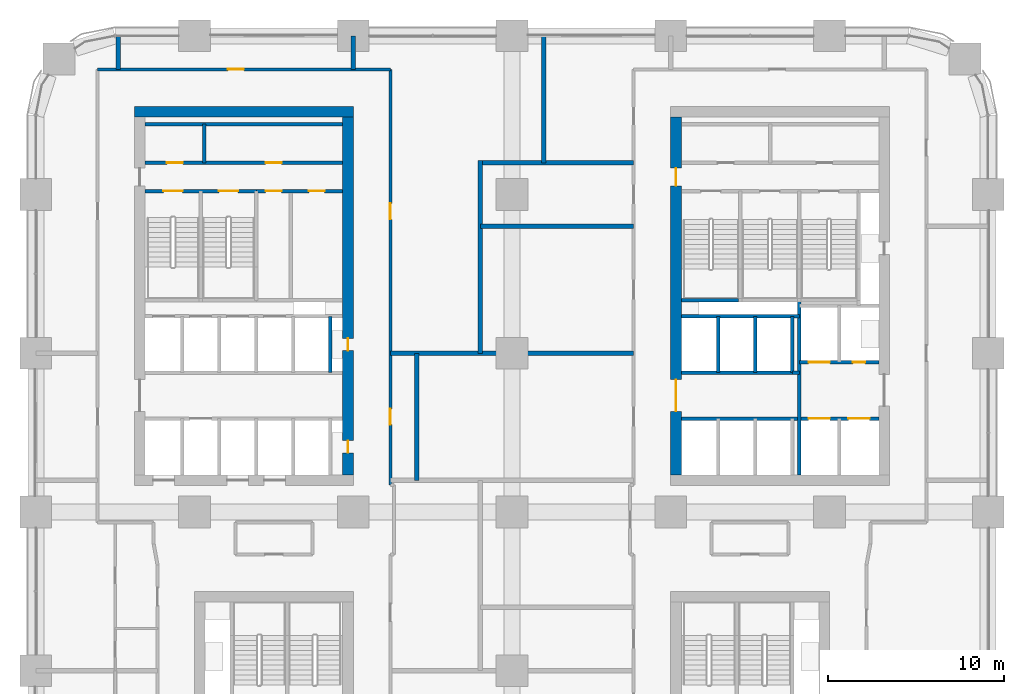
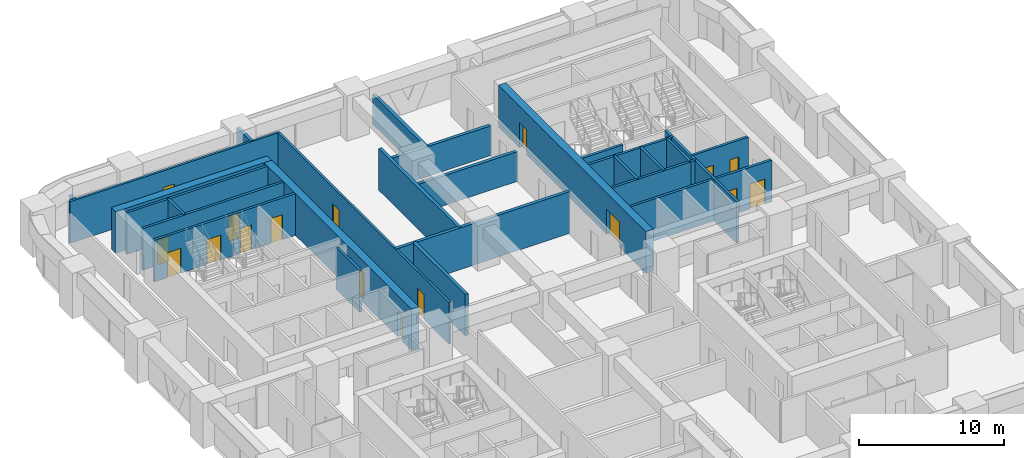
# One storey, part 17 of 21: 29 walls, 17 doors, 17 openings.
"""IFC4 building model written with IfcOpenShell, lengths in metres."""

import ifcopenshell
import ifcopenshell.guid

model = None  # the IFC model being written
_history = None  # IfcOwnerHistory: only IFC2X3 demands one
_inside = {}  # id of a spatial element -> (the spatial element, [elements in it])
_under = {}  # id of a project, library or spatial element -> (it, [spatial elements below it])
_declared = {}  # id of a project -> (the project, [libraries it declares])
_typed = {}  # id of a type object -> (the type object, [elements of that type])
_made_of = {}  # id of a material, layer set ... -> (it, [elements and type objects made of it])


def new_model(schema):
    """Start an empty IFC model of exactly this schema.

    Asked for "IFC4X3", IfcOpenShell would pick the latest addendum, in which some entities
    have other attributes; the version numbers below select the first issue.
    IFC2X3 requires an IfcOwnerHistory on every rooted entity: one is made here for all.
    """
    global model, _history
    if schema == "IFC4X3":
        model = ifcopenshell.file(schema_version=(4, 3, 0, 0))
    else:
        model = ifcopenshell.file(schema=schema)
    _inside.clear()
    _under.clear()
    _declared.clear()
    _typed.clear()
    _made_of.clear()
    _history = None
    if model.schema == "IFC2X3":
        org = make("IfcOrganization", Name="unknown")
        user = make(
            "IfcPersonAndOrganization",
            ThePerson=make("IfcPerson", FamilyName="unknown"),
            TheOrganization=org,
        )
        app = make(
            "IfcApplication",
            ApplicationDeveloper=org,
            Version="unknown",
            ApplicationFullName="unknown",
            ApplicationIdentifier="unknown",
        )
        _history = make(
            "IfcOwnerHistory",
            OwningUser=user,
            OwningApplication=app,
            ChangeAction="ADDED",
            CreationDate=0,
        )
    return model


def make(cls, **values):
    """One entity of the class cls with the attributes given. An attribute that is None is left unset."""
    return model.create_entity(
        cls, **{name: value for name, value in values.items() if value is not None}
    )


def rooted(cls, **values):
    """An entity with a GlobalId (a new one), such as an element, a storey or a relation."""
    return make(cls, GlobalId=ifcopenshell.guid.new(), OwnerHistory=_history, **values)


def si_unit(unit_type, name, prefix=None):
    """IfcSIUnit, for example si_unit("LENGTHUNIT", "METRE", prefix="MILLI")."""
    return make("IfcSIUnit", UnitType=unit_type, Prefix=prefix, Name=name)


def assignment(units):
    """IfcUnitAssignment: the units of a project."""
    return None if units is None else make("IfcUnitAssignment", Units=units)


def point(xyz):
    """IfcCartesianPoint."""
    return None if xyz is None else make("IfcCartesianPoint", Coordinates=xyz)


def direction(xyz):
    """IfcDirection."""
    return None if xyz is None else make("IfcDirection", DirectionRatios=xyz)


def frame(location, z_axis=None, x_axis=None):
    """IfcAxis2Placement3D, a coordinate frame: its origin and axes. An axis left out is left unset."""
    return make(
        "IfcAxis2Placement3D",
        Location=point(location),
        Axis=direction(z_axis),
        RefDirection=direction(x_axis),
    )


def frame_2d(location, x_axis=None):
    """IfcAxis2Placement2D, a coordinate frame in the plane: its origin and x axis."""
    return make(
        "IfcAxis2Placement2D", Location=point(location), RefDirection=direction(x_axis)
    )


def origin():
    """The frame at (0, 0, 0) with its axes left unset."""
    return frame((0.0, 0.0, 0.0))


def place(relative_to, where):
    """IfcLocalPlacement: puts the frame where relative to a parent placement (None: the world)."""
    return make(
        "IfcLocalPlacement", PlacementRelTo=relative_to, RelativePlacement=where
    )


def context(
    kind, dimensions, precision=None, world=None, true_north=None, identifier=None
):
    """IfcGeometricRepresentationContext, for example the 3D "Model" context."""
    return make(
        "IfcGeometricRepresentationContext",
        ContextIdentifier=identifier,
        ContextType=kind,
        CoordinateSpaceDimension=dimensions,
        Precision=precision,
        WorldCoordinateSystem=world,
        TrueNorth=true_north,
    )


def subcontext(parent, identifier, kind, view, scale=None):
    """IfcGeometricRepresentationSubContext, for example "Body" below "Model"."""
    return make(
        "IfcGeometricRepresentationSubContext",
        ContextIdentifier=identifier,
        ContextType=kind,
        ParentContext=parent,
        TargetScale=scale,
        TargetView=view,
    )


def project(units=None, contexts=None):
    """IfcProject with its units and contexts."""
    return rooted(
        "IfcProject",
        Name="project",
        RepresentationContexts=contexts,
        UnitsInContext=assignment(units),
    )


def spatial(cls, under=None, at=None, **own):
    """A site, building, storey or space (cls), placed at a placement, below another one or the project."""
    s = rooted(cls, ObjectPlacement=at, **own)
    if under is not None:
        _under.setdefault(under.id(), (under, []))[1].append(s)
    return s


def profile(cls, at=None, kind="AREA", **sizes):
    """A parametric profile (cls). Its sizes go by their IFC names, for example OverallWidth=200.0."""
    return make(cls, ProfileType=kind, Position=at, **sizes)


def rectangle(**sizes):
    """IfcRectangleProfileDef."""
    return profile("IfcRectangleProfileDef", **sizes)


def extrude(swept, where, along, depth):
    """IfcExtrudedAreaSolid: the profile swept, set in the frame where, extruded along a direction by depth."""
    return make(
        "IfcExtrudedAreaSolid",
        SweptArea=swept,
        Position=where,
        ExtrudedDirection=direction(along),
        Depth=depth,
    )


def shape(context_of_items, identifier, shape_type, items):
    """IfcShapeRepresentation: the items that make up one representation, for example the "Body"."""
    return make(
        "IfcShapeRepresentation",
        ContextOfItems=context_of_items,
        RepresentationIdentifier=identifier,
        RepresentationType=shape_type,
        Items=items,
    )


def material(Name=None, Category=None):
    """IfcMaterial."""
    return make("IfcMaterial", Name=Name, Category=Category)


def layer(
    of_material, thickness, ventilated=None, Name=None, Category=None, Priority=None
):
    """IfcMaterialLayer: one layer of a wall or slab, of a material (None: an air gap)."""
    return make(
        "IfcMaterialLayer",
        Material=of_material,
        LayerThickness=thickness,
        IsVentilated=ventilated,
        Name=Name,
        Category=Category,
        Priority=Priority,
    )


def layer_set(layers, Name=None):
    """IfcMaterialLayerSet."""
    return make("IfcMaterialLayerSet", MaterialLayers=layers, LayerSetName=Name)


def made_of(thing, what):
    """Note that an element or type object is made of a material, layer set ...; save() writes the relation."""
    if what is not None:
        _made_of.setdefault(what.id(), (what, []))[1].append(thing)
    return thing


def type_object(cls, material=None, **own):
    """A type object (cls), such as IfcWallType, which elements share."""
    return made_of(rooted(cls, **own), material)


def element(
    cls,
    number,
    at=None,
    inside=None,
    cuts=None,
    type_object=None,
    material=None,
    context=None,
    identifier="Body",
    shape_type=None,
    held_by="IfcProductDefinitionShape",
    body=None,
    shapes=None,
    **own,
):
    """One element of the class cls, such as IfcWall. Its Tag is "e" and its number.

    at: its placement. inside: the storey or other place that contains it. cuts: it is an
    opening in that element (IfcRelVoidsElement). A single representation is given by context,
    identifier, shape_type and body (its items); several are given by shapes. held_by: the class
    of the entity that holds the representations. save() writes the other relations.
    """
    e = rooted(cls, Tag="e%d" % number, ObjectPlacement=at, **own)
    if body is not None:
        shapes = [shape(context, identifier, shape_type, body)]
    if shapes is not None:
        e.Representation = make(held_by, Representations=shapes)
    if inside is not None:
        _inside.setdefault(inside.id(), (inside, []))[1].append(e)
    if cuts is not None:
        rooted(
            "IfcRelVoidsElement", RelatingBuildingElement=cuts, RelatedOpeningElement=e
        )
    if type_object is not None:
        _typed.setdefault(type_object.id(), (type_object, []))[1].append(e)
    return made_of(e, material)


def fill(opening, filler):
    """IfcRelFillsElement: the door or window that sits in an opening."""
    return rooted(
        "IfcRelFillsElement",
        RelatingOpeningElement=opening,
        RelatedBuildingElement=filler,
    )


def aggregate(whole, parts):
    """IfcRelAggregates: a whole, such as a stair, and the parts it consists of."""
    return rooted("IfcRelAggregates", RelatingObject=whole, RelatedObjects=parts)


def save(model, path):
    """Write the relations noted so far, then the file.

    IfcRelAggregates (storeys below a building ...), IfcRelContainedInSpatialStructure (elements
    in a storey), IfcRelDefinesByType, IfcRelAssociatesMaterial and IfcRelDeclares: one each for
    every whole, place, type object, material and project.
    """
    for whole, parts in _under.values():
        aggregate(whole, parts)
    for where, things in _inside.values():
        rooted(
            "IfcRelContainedInSpatialStructure",
            RelatedElements=things,
            RelatingStructure=where,
        )
    for kind, things in _typed.values():
        rooted("IfcRelDefinesByType", RelatedObjects=things, RelatingType=kind)
    for what, things in _made_of.values():
        rooted("IfcRelAssociatesMaterial", RelatedObjects=things, RelatingMaterial=what)
    for by, libraries in _declared.values():
        rooted("IfcRelDeclares", RelatingContext=by, RelatedDefinitions=libraries)
    model.write(path)


model = new_model("IFC4")

# Units and contexts
model_context = context("Model", 3, precision=1e-05, world=origin(), true_north=direction((0.0, 1.0)))
body_context = subcontext(model_context, "Body", "Model", "MODEL_VIEW")
ifc_project = project(units=[si_unit("LENGTHUNIT", "METRE"), si_unit("AREAUNIT", "SQUARE_METRE"), si_unit("VOLUMEUNIT", "CUBIC_METRE"), si_unit("PLANEANGLEUNIT", "RADIAN"), si_unit("MASSUNIT", "GRAM", prefix="KILO")], contexts=[model_context])

# Site, building, storey
site_placement = place(None, origin())
site = spatial("IfcSite", under=ifc_project, at=site_placement, CompositionType="ELEMENT")
building_placement = place(site_placement, origin())
building = spatial("IfcBuilding", under=site, at=building_placement, Name="Tessera Arch", CompositionType="ELEMENT")
storey_placement = place(building_placement, frame((0.0, 0.0, 69.0)))
storey = spatial("IfcBuildingStorey", under=building, at=storey_placement, Name="L15", CompositionType="ELEMENT", Elevation=69.0)

# Walls
ifc_material_1 = material(Name="Gypsum board on steel stud", Category="steel")
ifc_layer_1 = layer(ifc_material_1, 0.125)
ifc_layer_set_1 = layer_set([ifc_layer_1], Name="Core partition 125 EI 60")
wall_type_1 = type_object("IfcWallType", Name="Core partition 125 EI 60", PredefinedType="PARTITIONING", material=ifc_layer_set_1)
wall_1_placement = place(storey_placement, frame((42.89990234375, 34.89990234375, 0.0), z_axis=(0.0, 0.0, 1.0), x_axis=(1.0, 0.0, 0.0)))
element("IfcWall", 1, at=wall_1_placement, inside=storey, type_object=wall_type_1, Name="L15 C1 partition wall 19", PredefinedType="PARTITIONING", context=body_context, shape_type="SweptSolid", body=[
    extrude(rectangle(XDim=0.400146484375, YDim=0.199951171875, at=frame_2d((0.2001953125, 0.0))), origin(), (0.0, 0.0, 1.0), 3.5),
])
wall_2_placement = place(storey_placement, frame((9.56005859375, 46.800048828125, 0.0), z_axis=(0.0, 0.0, 1.0), x_axis=(0.0, 1.0, 0.0)))
element("IfcWall", 2, at=wall_2_placement, inside=storey, type_object=wall_type_1, Name="L15 C2 partition wall 5", PredefinedType="PARTITIONING", context=body_context, shape_type="SweptSolid", body=[
    extrude(rectangle(XDim=2.199951171875, YDim=0.199951171875, at=frame_2d((1.10009765625, 0.0))), origin(), (0.0, 0.0, 1.0), 3.5),
])

# Wall, openings, doors
wall_3_placement = place(storey_placement, frame((12.5, 45.199951171875, 0.0), z_axis=(0.0, 0.0, 1.0), x_axis=(1.0, 0.0, 0.0)))
wall_3 = element("IfcWall", 3, at=wall_3_placement, inside=storey, type_object=wall_type_1, Name="L15 C2 partition wall 24", PredefinedType="PARTITIONING", context=body_context, shape_type="SweptSolid", body=[
    extrude(rectangle(XDim=4.89990234375, YDim=0.199951171875, at=frame_2d((2.449951171875, 0.0))), origin(), (0.0, 0.0, 1.0), 3.5),
])
opening_1_placement = place(wall_3_placement, frame((0.530029296875, 0.0, 0.0)))
opening_1 = element("IfcOpeningElement", 4, at=opening_1_placement, cuts=wall_3, Name="Opening L15-C30", PredefinedType="OPENING", context=body_context, shape_type="SweptSolid", body=[
    extrude(rectangle(XDim=0.89990234375, YDim=2.10009765625, at=frame_2d((0.449951171875, 1.050048828125))), frame((0.0, 0.10986328125, 0.0), z_axis=(0.0, -1.0, 0.0), x_axis=(1.0, 0.0, 0.0)), (0.0, 0.0, 1.0), 0.219970703125),
])
opening_2_placement = place(wall_3_placement, frame((2.97998046875, 0.0, 0.0)))
opening_2 = element("IfcOpeningElement", 5, at=opening_2_placement, cuts=wall_3, Name="Opening L15-C31", PredefinedType="OPENING", context=body_context, shape_type="SweptSolid", body=[
    extrude(rectangle(XDim=0.89990234375, YDim=2.10009765625, at=frame_2d((0.449951171875, 1.050048828125))), frame((0.0, 0.10986328125, 0.0), z_axis=(0.0, -1.0, 0.0), x_axis=(1.0, 0.0, 0.0)), (0.0, 0.0, 1.0), 0.219970703125),
])
ifc_material_2 = material(Name="Steel door leaf", Category="steel")
door_type_1 = type_object("IfcDoorType", Name="Store door FD30S 900 x 2100", OperationType="SINGLE_SWING_LEFT", PredefinedType="DOOR", material=ifc_material_2)
door_1_placement = place(opening_1_placement, origin())
door_1 = element("IfcDoor", 6, at=door_1_placement, inside=storey, type_object=door_type_1, Name="L15 C2 door 17 C30 type D09", OperationType="SINGLE_SWING_LEFT", OverallHeight=2.10009765625, OverallWidth=0.89990234375, PredefinedType="DOOR", context=body_context, shape_type="SweptSolid", body=[
    extrude(rectangle(XDim=0.89990234375, YDim=2.10009765625, at=frame_2d((0.449951171875, 1.050048828125))), frame((0.0, 0.02490234375, 0.0), z_axis=(0.0, -1.0, 0.0), x_axis=(1.0, 0.0, 0.0)), (0.0, 0.0, 1.0), 0.050048828125),
])
fill(opening_1, door_1)
door_2_placement = place(opening_2_placement, origin())
door_2 = element("IfcDoor", 7, at=door_2_placement, inside=storey, type_object=door_type_1, Name="L15 C2 door 18 C31 type D09", OperationType="SINGLE_SWING_RIGHT", OverallHeight=2.10009765625, OverallWidth=0.89990234375, PredefinedType="DOOR", context=body_context, shape_type="SweptSolid", body=[
    extrude(rectangle(XDim=0.89990234375, YDim=2.10009765625, at=frame_2d((0.449951171875, 1.050048828125))), frame((0.0, 0.02490234375, 0.0), z_axis=(0.0, -1.0, 0.0), x_axis=(1.0, 0.0, 0.0)), (0.0, 0.0, 1.0), 0.050048828125),
])
fill(opening_2, door_2)

wall_4_placement = place(storey_placement, frame((6.199951171875, 46.800048828125, 0.0), z_axis=(0.0, 0.0, 1.0), x_axis=(1.0, 0.0, 0.0)))
wall_4 = element("IfcWall", 8, at=wall_4_placement, inside=storey, type_object=wall_type_1, Name="L15 C2 partition wall 26", PredefinedType="PARTITIONING", context=body_context, shape_type="SweptSolid", body=[
    extrude(rectangle(XDim=11.199951171875, YDim=0.199951171875, at=frame_2d((5.60009765625, 0.0))), origin(), (0.0, 0.0, 1.0), 3.5),
])
opening_3_placement = place(wall_4_placement, frame((1.22998046875, 0.0, 0.0)))
opening_3 = element("IfcOpeningElement", 9, at=opening_3_placement, cuts=wall_4, Name="Opening L15-C28", PredefinedType="OPENING", context=body_context, shape_type="SweptSolid", body=[
    extrude(rectangle(XDim=0.89990234375, YDim=2.10009765625, at=frame_2d((0.449951171875, 1.050048828125))), frame((0.0, 0.10986328125, 0.0), z_axis=(0.0, -1.0, 0.0), x_axis=(1.0, 0.0, 0.0)), (0.0, 0.0, 1.0), 0.219970703125),
])
opening_4_placement = place(wall_4_placement, frame((6.830078125, 0.0, 0.0)))
opening_4 = element("IfcOpeningElement", 10, at=opening_4_placement, cuts=wall_4, Name="Opening L15-C29", PredefinedType="OPENING", context=body_context, shape_type="SweptSolid", body=[
    extrude(rectangle(XDim=0.89990234375, YDim=2.10009765625, at=frame_2d((0.449951171875, 1.050048828125))), frame((0.0, 0.10986328125, 0.0), z_axis=(0.0, -1.0, 0.0), x_axis=(1.0, 0.0, 0.0)), (0.0, 0.0, 1.0), 0.219970703125),
])
door_3_placement = place(opening_3_placement, origin())
door_3 = element("IfcDoor", 11, at=door_3_placement, inside=storey, type_object=door_type_1, Name="L15 C2 door 15 C28 type D09", OperationType="SINGLE_SWING_LEFT", OverallHeight=2.10009765625, OverallWidth=0.89990234375, PredefinedType="DOOR", context=body_context, shape_type="SweptSolid", body=[
    extrude(rectangle(XDim=0.89990234375, YDim=2.10009765625, at=frame_2d((0.449951171875, 1.050048828125))), frame((0.0, 0.02490234375, 0.0), z_axis=(0.0, -1.0, 0.0), x_axis=(1.0, 0.0, 0.0)), (0.0, 0.0, 1.0), 0.050048828125),
])
fill(opening_3, door_3)
door_4_placement = place(opening_4_placement, origin())
door_4 = element("IfcDoor", 12, at=door_4_placement, inside=storey, type_object=door_type_1, Name="L15 C2 door 16 C29 type D09", OperationType="SINGLE_SWING_RIGHT", OverallHeight=2.10009765625, OverallWidth=0.89990234375, PredefinedType="DOOR", context=body_context, shape_type="SweptSolid", body=[
    extrude(rectangle(XDim=0.89990234375, YDim=2.10009765625, at=frame_2d((0.449951171875, 1.050048828125))), frame((0.0, 0.02490234375, 0.0), z_axis=(0.0, -1.0, 0.0), x_axis=(1.0, 0.0, 0.0)), (0.0, 0.0, 1.0), 0.050048828125),
])
fill(opening_4, door_4)

# Wall
wall_5_placement = place(storey_placement, frame((6.199951171875, 49.0, 0.0), z_axis=(0.0, 0.0, 1.0), x_axis=(1.0, 0.0, 0.0)))
element("IfcWall", 13, at=wall_5_placement, inside=storey, type_object=wall_type_1, Name="L15 C2 partition wall 27", PredefinedType="PARTITIONING", context=body_context, shape_type="SweptSolid", body=[
    extrude(rectangle(XDim=11.199951171875, YDim=0.199951171875, at=frame_2d((5.60009765625, 0.0))), origin(), (0.0, 0.0, 1.0), 3.5),
])

# Wall, openings, doors
ifc_material_3 = material(Name="Concrete C70/85", Category="concrete")
ifc_layer_2 = layer(ifc_material_3, 0.60009765625)
ifc_layer_set_2 = layer_set([ifc_layer_2], Name="Core shell wall 600 C70-85")
wall_type_2 = type_object("IfcWallType", Name="Core shell wall 600 C70-85", PredefinedType="SHEAR", material=ifc_layer_set_2)
wall_6_placement = place(storey_placement, frame((36.300048828125, 29.10009765625, 0.0), z_axis=(0.0, 0.0, 1.0), x_axis=(0.0, 1.0, 0.0)))
wall_6 = element("IfcWall", 14, at=wall_6_placement, inside=storey, type_object=wall_type_2, Name="L15 C1 core wall W", PredefinedType="SHEAR", context=body_context, shape_type="SweptSolid", body=[
    extrude(rectangle(XDim=20.2998046875, YDim=0.60009765625, at=frame_2d((10.14990234375, 0.0))), origin(), (0.0, 0.0, 1.0), 3.5),
])
opening_5_placement = place(wall_6_placement, frame((3.60009765625, 0.0, 0.0)))
opening_5 = element("IfcOpeningElement", 15, at=opening_5_placement, cuts=wall_6, Name="Opening L15-C04", PredefinedType="OPENING", context=body_context, shape_type="SweptSolid", body=[
    extrude(rectangle(XDim=1.800048828125, YDim=2.10009765625, at=frame_2d((0.89990234375, 1.050048828125))), frame((0.0, 0.31005859375, 0.0), z_axis=(0.0, -1.0, 0.0), x_axis=(1.0, 0.0, 0.0)), (0.0, 0.0, 1.0), 0.6201171875),
])
opening_6_placement = place(wall_6_placement, frame((16.39990234375, 0.0, 0.0)))
opening_6 = element("IfcOpeningElement", 16, at=opening_6_placement, cuts=wall_6, Name="Opening L15-C11", PredefinedType="OPENING", context=body_context, shape_type="SweptSolid", body=[
    extrude(rectangle(XDim=1.0, YDim=2.10009765625, at=frame_2d((0.5, 1.050048828125))), frame((0.0, 0.31005859375, 0.0), z_axis=(0.0, -1.0, 0.0), x_axis=(1.0, 0.0, 0.0)), (0.0, 0.0, 1.0), 0.6201171875),
])
ifc_material_4 = material(Name="Steel door leaf", Category="steel")
door_type_2 = type_object("IfcDoorType", Name="Corridor door FD60 1000 x 2100", OperationType="SINGLE_SWING_LEFT", PredefinedType="DOOR", material=ifc_material_4)
door_5_placement = place(opening_6_placement, origin())
door_5 = element("IfcDoor", 17, at=door_5_placement, inside=storey, type_object=door_type_2, Name="L15 C1 door 11 C11 type D12", OperationType="SINGLE_SWING_RIGHT", OverallHeight=2.10009765625, OverallWidth=1.0, PredefinedType="DOOR", context=body_context, shape_type="SweptSolid", body=[
    extrude(rectangle(XDim=1.0, YDim=2.10009765625, at=frame_2d((0.5, 1.050048828125))), frame((0.0, 0.02490234375, 0.0), z_axis=(0.0, -1.0, 0.0), x_axis=(1.0, 0.0, 0.0)), (0.0, 0.0, 1.0), 0.050048828125),
])
fill(opening_6, door_5)
ifc_material_5 = material(Name="Glazed steel door leaf", Category="steel")
door_type_3 = type_object("IfcDoorType", Name="Lobby double door FD30S 1800 x 2100", OperationType="DOUBLE_DOOR_SINGLE_SWING", PredefinedType="DOOR", material=ifc_material_5)
door_6_placement = place(opening_5_placement, origin())
door_6 = element("IfcDoor", 18, at=door_6_placement, inside=storey, type_object=door_type_3, Name="L15 C1 door 4 C04 type D06", OperationType="DOUBLE_DOOR_SINGLE_SWING", OverallHeight=2.10009765625, OverallWidth=1.800048828125, PredefinedType="DOOR", context=body_context, shape_type="SweptSolid", body=[
    extrude(rectangle(XDim=1.800048828125, YDim=2.10009765625, at=frame_2d((0.89990234375, 1.050048828125))), frame((0.0, 0.02490234375, 0.0), z_axis=(0.0, -1.0, 0.0), x_axis=(1.0, 0.0, 0.0)), (0.0, 0.0, 1.0), 0.050048828125),
])
fill(opening_5, door_6)

# Wall
wall_7_placement = place(storey_placement, frame((5.60009765625, 49.699951171875, 0.0), z_axis=(0.0, 0.0, 1.0), x_axis=(1.0, 0.0, 0.0)))
element("IfcWall", 19, at=wall_7_placement, inside=storey, type_object=wall_type_2, Name="L15 C2 core wall N", PredefinedType="SHEAR", context=body_context, shape_type="SweptSolid", body=[
    extrude(rectangle(XDim=12.39990234375, YDim=0.60009765625, at=frame_2d((6.199951171875, 0.0))), origin(), (0.0, 0.0, 1.0), 3.5),
])

# Wall, openings, doors
wall_8_placement = place(storey_placement, frame((17.699951171875, 29.10009765625, 0.0), z_axis=(0.0, 0.0, 1.0), x_axis=(0.0, 1.0, 0.0)))
wall_8 = element("IfcWall", 20, at=wall_8_placement, inside=storey, type_object=wall_type_2, Name="L15 C2 core wall E", PredefinedType="SHEAR", context=body_context, shape_type="SweptSolid", body=[
    extrude(rectangle(XDim=20.2998046875, YDim=0.60009765625, at=frame_2d((10.14990234375, 0.0))), origin(), (0.0, 0.0, 1.0), 3.5),
])
opening_7_placement = place(wall_8_placement, frame((1.25, 0.0, 0.0)))
opening_7 = element("IfcOpeningElement", 21, at=opening_7_placement, cuts=wall_8, Name="Opening L15-C22", PredefinedType="OPENING", context=body_context, shape_type="SweptSolid", body=[
    extrude(rectangle(XDim=0.699951171875, YDim=2.10009765625, at=frame_2d((0.35009765625, 1.050048828125))), frame((0.0, 0.31005859375, 0.0), z_axis=(0.0, -1.0, 0.0), x_axis=(1.0, 0.0, 0.0)), (0.0, 0.0, 1.0), 0.6201171875),
])
opening_8_placement = place(wall_8_placement, frame((7.050048828125, 0.0, 0.0)))
opening_8 = element("IfcOpeningElement", 22, at=opening_8_placement, cuts=wall_8, Name="Opening L15-C23", PredefinedType="OPENING", context=body_context, shape_type="SweptSolid", body=[
    extrude(rectangle(XDim=0.699951171875, YDim=2.10009765625, at=frame_2d((0.35009765625, 1.050048828125))), frame((0.0, 0.31005859375, 0.0), z_axis=(0.0, -1.0, 0.0), x_axis=(1.0, 0.0, 0.0)), (0.0, 0.0, 1.0), 0.6201171875),
])
ifc_material_6 = material(Name="Steel door leaf", Category="steel")
door_type_4 = type_object("IfcDoorType", Name="Service shaft door FD60 700 x 2100", OperationType="SINGLE_SWING_LEFT", PredefinedType="DOOR", material=ifc_material_6)
door_7_placement = place(opening_7_placement, origin())
door_7 = element("IfcDoor", 23, at=door_7_placement, inside=storey, type_object=door_type_4, Name="L15 C2 door 9 C22 type D07", OperationType="SINGLE_SWING_LEFT", OverallHeight=2.10009765625, OverallWidth=0.699951171875, PredefinedType="DOOR", context=body_context, shape_type="SweptSolid", body=[
    extrude(rectangle(XDim=0.699951171875, YDim=2.10009765625, at=frame_2d((0.35009765625, 1.050048828125))), frame((0.0, 0.02490234375, 0.0), z_axis=(0.0, -1.0, 0.0), x_axis=(1.0, 0.0, 0.0)), (0.0, 0.0, 1.0), 0.050048828125),
])
fill(opening_7, door_7)
door_8_placement = place(opening_8_placement, origin())
door_8 = element("IfcDoor", 24, at=door_8_placement, inside=storey, type_object=door_type_4, Name="L15 C2 door 10 C23 type D07", OperationType="SINGLE_SWING_LEFT", OverallHeight=2.10009765625, OverallWidth=0.699951171875, PredefinedType="DOOR", context=body_context, shape_type="SweptSolid", body=[
    extrude(rectangle(XDim=0.699951171875, YDim=2.10009765625, at=frame_2d((0.35009765625, 1.050048828125))), frame((0.0, 0.02490234375, 0.0), z_axis=(0.0, -1.0, 0.0), x_axis=(1.0, 0.0, 0.0)), (0.0, 0.0, 1.0), 0.050048828125),
])
fill(opening_8, door_8)

# Wall, opening, door
ifc_material_7 = material(Name="Gypsum board on deep steel stud with mineral wool", Category="steel")
ifc_layer_3 = layer(ifc_material_7, 0.175048828125)
ifc_layer_set_3 = layer_set([ifc_layer_3], Name="Corridor wall 175 EI 60")
wall_type_3 = type_object("IfcWallType", Name="Corridor wall 175 EI 60", PredefinedType="PARTITIONING", material=ifc_layer_set_3)
wall_9_placement = place(storey_placement, frame((3.5, 52.10009765625, 0.0), z_axis=(0.0, 0.0, 1.0), x_axis=(1.0, 0.0, 0.0)))
wall_9 = element("IfcWall", 25, at=wall_9_placement, inside=storey, type_object=wall_type_3, Name="L15 partition 13", PredefinedType="PARTITIONING", context=body_context, shape_type="SweptSolid", body=[
    extrude(rectangle(XDim=16.60009765625, YDim=0.175048828125, at=frame_2d((8.300048828125, 0.0))), origin(), (0.0, 0.0, 1.0), 3.5),
])
opening_9_placement = place(wall_9_placement, frame((7.38916015625, 0.0, 0.0)))
opening_9 = element("IfcOpeningElement", 26, at=opening_9_placement, cuts=wall_9, Name="Opening L15-D046", PredefinedType="OPENING", context=body_context, shape_type="SweptSolid", body=[
    extrude(rectangle(XDim=0.89990234375, YDim=2.10009765625, at=frame_2d((0.449951171875, 1.050048828125))), frame((0.0, 0.097412109375, 0.0), z_axis=(0.0, -1.0, 0.0), x_axis=(1.0, 0.0, 0.0)), (0.0, 0.0, 1.0), 0.195068359375),
])
ifc_material_8 = material(Name="Timber door leaf", Category="wood")
door_type_5 = type_object("IfcDoorType", Name="Room door 900 x 2100", OperationType="SINGLE_SWING_LEFT", PredefinedType="DOOR", material=ifc_material_8)
door_9_placement = place(opening_9_placement, origin())
door_9 = element("IfcDoor", 27, at=door_9_placement, inside=storey, type_object=door_type_5, Name="L15 door D046 type D01", OperationType="SINGLE_SWING_RIGHT", OverallHeight=2.10009765625, OverallWidth=0.89990234375, PredefinedType="DOOR", context=body_context, shape_type="SweptSolid", body=[
    extrude(rectangle(XDim=0.89990234375, YDim=2.10009765625, at=frame_2d((0.449951171875, 1.050048828125))), frame((0.0, 0.02490234375, 0.0), z_axis=(0.0, -1.0, 0.0), x_axis=(1.0, 0.0, 0.0)), (0.0, 0.0, 1.0), 0.050048828125),
])
fill(opening_9, door_9)

# Wall, openings, doors
wall_10_placement = place(storey_placement, frame((20.10009765625, 28.52001953125, 0.0), z_axis=(0.0, 0.0, 1.0), x_axis=(0.0, 1.0, 0.0)))
wall_10 = element("IfcWall", 28, at=wall_10_placement, inside=storey, type_object=wall_type_3, Name="L15 partition 21", PredefinedType="PARTITIONING", context=body_context, shape_type="SweptSolid", body=[
    extrude(rectangle(XDim=23.580078125, YDim=0.175048828125, at=frame_2d((11.7900390625, 0.0))), origin(), (0.0, 0.0, 1.0), 3.5),
])
opening_10_placement = place(wall_10_placement, frame((3.429931640625, 0.0, 0.0)))
opening_10 = element("IfcOpeningElement", 29, at=opening_10_placement, cuts=wall_10, Name="Opening L15-D037", PredefinedType="OPENING", context=body_context, shape_type="SweptSolid", body=[
    extrude(rectangle(XDim=0.89990234375, YDim=2.10009765625, at=frame_2d((0.449951171875, 1.050048828125))), frame((0.0, 0.097412109375, 0.0), z_axis=(0.0, -1.0, 0.0), x_axis=(1.0, 0.0, 0.0)), (0.0, 0.0, 1.0), 0.195068359375),
])
opening_11_placement = place(wall_10_placement, frame((15.080078125, 0.0, 0.0)))
opening_11 = element("IfcOpeningElement", 30, at=opening_11_placement, cuts=wall_10, Name="Opening L15-D043", PredefinedType="OPENING", context=body_context, shape_type="SweptSolid", body=[
    extrude(rectangle(XDim=0.89990234375, YDim=2.10009765625, at=frame_2d((0.449951171875, 1.050048828125))), frame((0.0, 0.097412109375, 0.0), z_axis=(0.0, -1.0, 0.0), x_axis=(1.0, 0.0, 0.0)), (0.0, 0.0, 1.0), 0.195068359375),
])
door_10_placement = place(opening_10_placement, origin())
door_10 = element("IfcDoor", 31, at=door_10_placement, inside=storey, type_object=door_type_5, Name="L15 door D037 type D01", OperationType="SINGLE_SWING_RIGHT", OverallHeight=2.10009765625, OverallWidth=0.89990234375, PredefinedType="DOOR", context=body_context, shape_type="SweptSolid", body=[
    extrude(rectangle(XDim=0.89990234375, YDim=2.10009765625, at=frame_2d((0.449951171875, 1.050048828125))), frame((0.0, 0.02490234375, 0.0), z_axis=(0.0, -1.0, 0.0), x_axis=(1.0, 0.0, 0.0)), (0.0, 0.0, 1.0), 0.050048828125),
])
fill(opening_10, door_10)
door_11_placement = place(opening_11_placement, origin())
door_11 = element("IfcDoor", 32, at=door_11_placement, inside=storey, type_object=door_type_5, Name="L15 door D043 type D01", OperationType="SINGLE_SWING_RIGHT", OverallHeight=2.10009765625, OverallWidth=0.89990234375, PredefinedType="DOOR", context=body_context, shape_type="SweptSolid", body=[
    extrude(rectangle(XDim=0.89990234375, YDim=2.10009765625, at=frame_2d((0.449951171875, 1.050048828125))), frame((0.0, 0.02490234375, 0.0), z_axis=(0.0, -1.0, 0.0), x_axis=(1.0, 0.0, 0.0)), (0.0, 0.0, 1.0), 0.050048828125),
])
fill(opening_11, door_11)

# Walls
ifc_material_9 = material(Name="Double gypsum board on twin steel stud with acoustic mineral wool", Category="steel")
ifc_layer_4 = layer(ifc_material_9, 0.25)
ifc_layer_set_4 = layer_set([ifc_layer_4], Name="Party wall 250 EI 60")
wall_type_4 = type_object("IfcWallType", Name="Party wall 250 EI 60", PredefinedType="PARTITIONING", material=ifc_layer_set_4)
wall_11_placement = place(storey_placement, frame((20.10009765625, 36.0, 0.0), z_axis=(0.0, 0.0, 1.0), x_axis=(1.0, 0.0, 0.0)))
element("IfcWall", 33, at=wall_11_placement, inside=storey, type_object=wall_type_4, Name="L15 partition 52", PredefinedType="PARTITIONING", context=body_context, shape_type="SweptSolid", body=[
    extrude(rectangle(XDim=13.7998046875, YDim=0.25, at=frame_2d((6.89990234375, 0.0))), origin(), (0.0, 0.0, 1.0), 3.5),
])
wall_12_placement = place(storey_placement, frame((25.199951171875, 43.199951171875, 0.0), z_axis=(0.0, 0.0, 1.0), x_axis=(1.0, 0.0, 0.0)))
element("IfcWall", 34, at=wall_12_placement, inside=storey, type_object=wall_type_4, Name="L15 partition 53", PredefinedType="PARTITIONING", context=body_context, shape_type="SweptSolid", body=[
    extrude(rectangle(XDim=8.699951171875, YDim=0.25, at=frame_2d((4.35009765625, 0.0))), origin(), (0.0, 0.0, 1.0), 2.5),
])
wall_13_placement = place(storey_placement, frame((25.324951171875, 46.800048828125, 0.0), z_axis=(0.0, 0.0, 1.0), x_axis=(1.0, 0.0, 0.0)))
element("IfcWall", 35, at=wall_13_placement, inside=storey, type_object=wall_type_4, Name="L15 partition 55", PredefinedType="PARTITIONING", context=body_context, shape_type="SweptSolid", body=[
    extrude(rectangle(XDim=8.574951171875, YDim=0.25, at=frame_2d((4.28759765625, 0.0))), origin(), (0.0, 0.0, 1.0), 2.5),
])
wall_14_placement = place(storey_placement, frame((4.677978515625, 52.10009765625, 0.0), z_axis=(0.0, 0.0, 1.0), x_axis=(0.0, 1.0, 0.0)))
element("IfcWall", 36, at=wall_14_placement, inside=storey, type_object=wall_type_4, Name="L15 partition 56", PredefinedType="PARTITIONING", context=body_context, shape_type="SweptSolid", body=[
    extrude(rectangle(XDim=1.89990234375, YDim=0.25, at=frame_2d((0.949951171875, 0.0))), origin(), (0.0, 0.0, 1.0), 2.5),
])
wall_15_placement = place(storey_placement, frame((18.0, 52.10009765625, 0.0), z_axis=(0.0, 0.0, 1.0), x_axis=(0.0, 1.0, 0.0)))
element("IfcWall", 37, at=wall_15_placement, inside=storey, type_object=wall_type_4, Name="L15 partition 60", PredefinedType="PARTITIONING", context=body_context, shape_type="SweptSolid", body=[
    extrude(rectangle(XDim=1.89990234375, YDim=0.25, at=frame_2d((0.949951171875, 0.0))), origin(), (0.0, 0.0, 1.0), 3.5),
])
wall_16_placement = place(storey_placement, frame((21.60009765625, 28.800048828125, 0.0), z_axis=(0.0, 0.0, 1.0), x_axis=(0.0, 1.0, 0.0)))
element("IfcWall", 38, at=wall_16_placement, inside=storey, type_object=wall_type_4, Name="L15 partition 61", PredefinedType="PARTITIONING", context=body_context, shape_type="SweptSolid", body=[
    extrude(rectangle(XDim=7.199951171875, YDim=0.25, at=frame_2d((3.60009765625, 0.0))), origin(), (0.0, 0.0, 1.0), 3.5),
])
wall_17_placement = place(storey_placement, frame((25.199951171875, 36.0, 0.0), z_axis=(0.0, 0.0, 1.0), x_axis=(0.0, 1.0, 0.0)))
element("IfcWall", 39, at=wall_17_placement, inside=storey, type_object=wall_type_4, Name="L15 partition 63", PredefinedType="PARTITIONING", context=body_context, shape_type="SweptSolid", body=[
    extrude(rectangle(XDim=10.925048828125, YDim=0.25, at=frame_2d((5.46240234375, 0.0))), origin(), (0.0, 0.0, 1.0), 3.5),
])
wall_18_placement = place(storey_placement, frame((28.800048828125, 46.800048828125, 0.0), z_axis=(0.0, 0.0, 1.0), x_axis=(0.0, 1.0, 0.0)))
element("IfcWall", 40, at=wall_18_placement, inside=storey, type_object=wall_type_4, Name="L15 partition 65", PredefinedType="PARTITIONING", context=body_context, shape_type="SweptSolid", body=[
    extrude(rectangle(XDim=7.199951171875, YDim=0.25, at=frame_2d((3.60009765625, 0.0))), origin(), (0.0, 0.0, 1.0), 2.5),
])
ifc_material_10 = material(Name="Concrete C40/50", Category="concrete")
ifc_layer_5 = layer(ifc_material_10, 0.199951171875)
ifc_layer_set_5 = layer_set([ifc_layer_5], Name="Shaft wall 200 EI 120")
wall_type_5 = type_object("IfcWallType", Name="Shaft wall 200 EI 120", PredefinedType="SOLIDWALL", material=ifc_layer_set_5)
for number, where, z_axis, x_axis, name in (
    (41, (38.699951171875, 34.89990234375, 0.0), (0.0, 0.0, 1.0), (0.0, 1.0, 0.0), "L15 C1 shaft wall 2"),
    (42, (40.800048828125, 34.89990234375, 0.0), (0.0, 0.0, 1.0), (0.0, 1.0, 0.0), "L15 C1 shaft wall 6"),
    (43, (42.89990234375, 34.89990234375, 0.0), (0.0, 0.0, 1.0), (0.0, 1.0, 0.0), "L15 C1 shaft wall 9"),
):
    element("IfcWall", number, at=place(storey_placement, frame(where, z_axis=z_axis, x_axis=x_axis)), inside=storey, type_object=wall_type_5, Name=name, PredefinedType="SOLIDWALL", context=body_context, shape_type="SweptSolid", body=[
        extrude(rectangle(XDim=3.2001953125, YDim=0.199951171875, at=frame_2d((1.60009765625, 0.0))), origin(), (0.0, 0.0, 1.0), 3.5),
    ])
wall_19_placement = place(storey_placement, frame((43.300048828125, 29.10009765625, 0.0), z_axis=(0.0, 0.0, 1.0), x_axis=(0.0, 1.0, 0.0)))
element("IfcWall", 44, at=wall_19_placement, inside=storey, type_object=wall_type_5, Name="L15 C1 shaft wall 10", PredefinedType="SOLIDWALL", context=body_context, shape_type="SweptSolid", body=[
    extrude(rectangle(XDim=9.89990234375, YDim=0.199951171875, at=frame_2d((4.949951171875, 0.0))), origin(), (0.0, 0.0, 1.0), 3.5),
])

# Wall, openings, doors
wall_20_placement = place(storey_placement, frame((36.60009765625, 32.300048828125, 0.0), z_axis=(0.0, 0.0, 1.0), x_axis=(1.0, 0.0, 0.0)))
wall_20 = element("IfcWall", 45, at=wall_20_placement, inside=storey, type_object=wall_type_5, Name="L15 C1 shaft wall 18", PredefinedType="SOLIDWALL", context=body_context, shape_type="SweptSolid", body=[
    extrude(rectangle(XDim=11.199951171875, YDim=0.199951171875, at=frame_2d((5.60009765625, 0.0))), origin(), (0.0, 0.0, 1.0), 3.5),
])
opening_12_placement = place(wall_20_placement, frame((7.22509765625, 0.0, 0.0)))
opening_12 = element("IfcOpeningElement", 46, at=opening_12_placement, cuts=wall_20, Name="Opening L15-C01", PredefinedType="OPENING", context=body_context, shape_type="SweptSolid", body=[
    extrude(rectangle(XDim=1.199951171875, YDim=2.10009765625, at=frame_2d((0.60009765625, 1.050048828125))), frame((0.0, 0.10986328125, 0.0), z_axis=(0.0, -1.0, 0.0), x_axis=(1.0, 0.0, 0.0)), (0.0, 0.0, 1.0), 0.219970703125),
])
opening_13_placement = place(wall_20_placement, frame((9.47509765625, 0.0, 0.0)))
opening_13 = element("IfcOpeningElement", 47, at=opening_13_placement, cuts=wall_20, Name="Opening L15-C02", PredefinedType="OPENING", context=body_context, shape_type="SweptSolid", body=[
    extrude(rectangle(XDim=1.199951171875, YDim=2.10009765625, at=frame_2d((0.60009765625, 1.050048828125))), frame((0.0, 0.10986328125, 0.0), z_axis=(0.0, -1.0, 0.0), x_axis=(1.0, 0.0, 0.0)), (0.0, 0.0, 1.0), 0.219970703125),
])
ifc_material_11 = material(Name="Stainless steel AISI 304", Category="steel")
door_type_6 = type_object("IfcDoorType", Name="Sliding landing door 1200 x 2100", OperationType="SLIDING_TO_LEFT", PredefinedType="DOOR", material=ifc_material_11)
door_12_placement = place(opening_12_placement, origin())
door_12 = element("IfcDoor", 48, at=door_12_placement, inside=storey, type_object=door_type_6, Name="L15 FF1 lift landing door C01 type LD", OperationType="SLIDING_TO_LEFT", OverallHeight=2.10009765625, OverallWidth=1.199951171875, PredefinedType="DOOR", context=body_context, shape_type="SweptSolid", body=[
    extrude(rectangle(XDim=1.199951171875, YDim=2.10009765625, at=frame_2d((0.60009765625, 1.050048828125))), frame((0.0, 0.02490234375, 0.0), z_axis=(0.0, -1.0, 0.0), x_axis=(1.0, 0.0, 0.0)), (0.0, 0.0, 1.0), 0.050048828125),
])
fill(opening_12, door_12)
door_13_placement = place(opening_13_placement, origin())
door_13 = element("IfcDoor", 49, at=door_13_placement, inside=storey, type_object=door_type_6, Name="L15 FF2 lift landing door C02 type LD", OperationType="SLIDING_TO_LEFT", OverallHeight=2.10009765625, OverallWidth=1.199951171875, PredefinedType="DOOR", context=body_context, shape_type="SweptSolid", body=[
    extrude(rectangle(XDim=1.199951171875, YDim=2.10009765625, at=frame_2d((0.60009765625, 1.050048828125))), frame((0.0, 0.02490234375, 0.0), z_axis=(0.0, -1.0, 0.0), x_axis=(1.0, 0.0, 0.0)), (0.0, 0.0, 1.0), 0.050048828125),
])
fill(opening_13, door_13)

# Wall
wall_21_placement = place(storey_placement, frame((36.60009765625, 34.89990234375, 0.0), z_axis=(0.0, 0.0, 1.0), x_axis=(1.0, 0.0, 0.0)))
element("IfcWall", 50, at=wall_21_placement, inside=storey, type_object=wall_type_5, Name="L15 C1 shaft wall 20", PredefinedType="SOLIDWALL", context=body_context, shape_type="SweptSolid", body=[
    extrude(rectangle(XDim=6.2998046875, YDim=0.199951171875, at=frame_2d((3.14990234375, 0.0))), origin(), (0.0, 0.0, 1.0), 3.5),
])

# Wall, openings, doors
wall_22_placement = place(storey_placement, frame((43.300048828125, 35.5, 0.0), z_axis=(0.0, 0.0, 1.0), x_axis=(1.0, 0.0, 0.0)))
wall_22 = element("IfcWall", 51, at=wall_22_placement, inside=storey, type_object=wall_type_5, Name="L15 C1 shaft wall 21", PredefinedType="SOLIDWALL", context=body_context, shape_type="SweptSolid", body=[
    extrude(rectangle(XDim=4.5, YDim=0.199951171875, at=frame_2d((2.25, 0.0))), origin(), (0.0, 0.0, 1.0), 3.5),
])
opening_14_placement = place(wall_22_placement, frame((0.52490234375, 0.0, 0.0)))
opening_14 = element("IfcOpeningElement", 52, at=opening_14_placement, cuts=wall_22, Name="Opening L15-C03", PredefinedType="OPENING", context=body_context, shape_type="SweptSolid", body=[
    extrude(rectangle(XDim=1.199951171875, YDim=2.10009765625, at=frame_2d((0.60009765625, 1.050048828125))), frame((0.0, 0.10986328125, 0.0), z_axis=(0.0, -1.0, 0.0), x_axis=(1.0, 0.0, 0.0)), (0.0, 0.0, 1.0), 0.219970703125),
])
opening_15_placement = place(wall_22_placement, frame((3.02490234375, 0.0, 0.0)))
opening_15 = element("IfcOpeningElement", 53, at=opening_15_placement, cuts=wall_22, Name="Opening L15-C10", PredefinedType="OPENING", context=body_context, shape_type="SweptSolid", body=[
    extrude(rectangle(XDim=0.699951171875, YDim=2.10009765625, at=frame_2d((0.35009765625, 1.050048828125))), frame((0.0, 0.10986328125, 0.0), z_axis=(0.0, -1.0, 0.0), x_axis=(1.0, 0.0, 0.0)), (0.0, 0.0, 1.0), 0.219970703125),
])
door_14_placement = place(opening_15_placement, origin())
door_14 = element("IfcDoor", 54, at=door_14_placement, inside=storey, type_object=door_type_4, Name="L15 C1 door 10 C10 type D07", OperationType="SINGLE_SWING_RIGHT", OverallHeight=2.10009765625, OverallWidth=0.699951171875, PredefinedType="DOOR", context=body_context, shape_type="SweptSolid", body=[
    extrude(rectangle(XDim=0.699951171875, YDim=2.10009765625, at=frame_2d((0.35009765625, 1.050048828125))), frame((0.0, 0.02490234375, 0.0), z_axis=(0.0, -1.0, 0.0), x_axis=(1.0, 0.0, 0.0)), (0.0, 0.0, 1.0), 0.050048828125),
])
fill(opening_15, door_14)
door_15_placement = place(opening_14_placement, origin())
door_15 = element("IfcDoor", 55, at=door_15_placement, inside=storey, type_object=door_type_6, Name="L15 SV2 lift landing door C03 type LD", OperationType="SLIDING_TO_LEFT", OverallHeight=2.10009765625, OverallWidth=1.199951171875, PredefinedType="DOOR", context=body_context, shape_type="SweptSolid", body=[
    extrude(rectangle(XDim=1.199951171875, YDim=2.10009765625, at=frame_2d((0.60009765625, 1.050048828125))), frame((0.0, 0.02490234375, 0.0), z_axis=(0.0, -1.0, 0.0), x_axis=(1.0, 0.0, 0.0)), (0.0, 0.0, 1.0), 0.050048828125),
])
fill(opening_14, door_15)

# Walls
wall_23_placement = place(storey_placement, frame((36.60009765625, 38.10009765625, 0.0), z_axis=(0.0, 0.0, 1.0), x_axis=(1.0, 0.0, 0.0)))
element("IfcWall", 56, at=wall_23_placement, inside=storey, type_object=wall_type_5, Name="L15 C1 shaft wall 22", PredefinedType="SOLIDWALL", context=body_context, shape_type="SweptSolid", body=[
    extrude(rectangle(XDim=6.699951171875, YDim=0.199951171875, at=frame_2d((3.35009765625, 0.0))), origin(), (0.0, 0.0, 1.0), 3.5),
])
wall_24_placement = place(storey_placement, frame((16.699951171875, 34.89990234375, 0.0), z_axis=(0.0, 0.0, 1.0), x_axis=(0.0, 1.0, 0.0)))
element("IfcWall", 57, at=wall_24_placement, inside=storey, type_object=wall_type_5, Name="L15 C2 shaft wall 16", PredefinedType="SOLIDWALL", context=body_context, shape_type="SweptSolid", body=[
    extrude(rectangle(XDim=3.2001953125, YDim=0.199951171875, at=frame_2d((1.60009765625, 0.0))), origin(), (0.0, 0.0, 1.0), 3.5),
])
ifc_material_12 = material(Name="Concrete C40/50", Category="concrete")
ifc_layer_6 = layer(ifc_material_12, 0.199951171875)
ifc_layer_set_6 = layer_set([ifc_layer_6], Name="Stair well wall 200 REI 180")
wall_type_6 = type_object("IfcWallType", Name="Stair well wall 200 REI 180", PredefinedType="SOLIDWALL", material=ifc_layer_set_6)
wall_25_placement = place(storey_placement, frame((36.60009765625, 39.0, 0.0), z_axis=(0.0, 0.0, 1.0), x_axis=(1.0, 0.0, 0.0)))
element("IfcWall", 58, at=wall_25_placement, inside=storey, type_object=wall_type_6, Name="L15 C1 shaft wall 24", PredefinedType="SOLIDWALL", context=body_context, shape_type="SweptSolid", body=[
    extrude(rectangle(XDim=3.25, YDim=0.199951171875, at=frame_2d((1.625, 0.0))), origin(), (0.0, 0.0, 1.0), 3.5),
])

# Wall, openings, doors
wall_26_placement = place(storey_placement, frame((6.199951171875, 45.199951171875, 0.0), z_axis=(0.0, 0.0, 1.0), x_axis=(1.0, 0.0, 0.0)))
wall_26 = element("IfcWall", 59, at=wall_26_placement, inside=storey, type_object=wall_type_6, Name="L15 C2 shaft wall 25", PredefinedType="SOLIDWALL", context=body_context, shape_type="SweptSolid", body=[
    extrude(rectangle(XDim=6.300048828125, YDim=0.199951171875, at=frame_2d((3.14990234375, 0.0))), origin(), (0.0, 0.0, 1.0), 3.5),
])
opening_16_placement = place(wall_26_placement, frame((1.02490234375, 0.0, 0.0)))
opening_16 = element("IfcOpeningElement", 60, at=opening_16_placement, cuts=wall_26, Name="Opening L15-C25", PredefinedType="OPENING", context=body_context, shape_type="SweptSolid", body=[
    extrude(rectangle(XDim=1.10009765625, YDim=2.10009765625, at=frame_2d((0.550048828125, 1.050048828125))), frame((0.0, 0.10986328125, 0.0), z_axis=(0.0, -1.0, 0.0), x_axis=(1.0, 0.0, 0.0)), (0.0, 0.0, 1.0), 0.219970703125),
])
opening_17_placement = place(wall_26_placement, frame((4.175048828125, 0.0, 0.0)))
opening_17 = element("IfcOpeningElement", 61, at=opening_17_placement, cuts=wall_26, Name="Opening L15-C26", PredefinedType="OPENING", context=body_context, shape_type="SweptSolid", body=[
    extrude(rectangle(XDim=1.10009765625, YDim=2.10009765625, at=frame_2d((0.550048828125, 1.050048828125))), frame((0.0, 0.10986328125, 0.0), z_axis=(0.0, -1.0, 0.0), x_axis=(1.0, 0.0, 0.0)), (0.0, 0.0, 1.0), 0.219970703125),
])
ifc_material_13 = material(Name="Steel door leaf", Category="steel")
door_type_7 = type_object("IfcDoorType", Name="Stair door FD60 1100 x 2100", OperationType="SINGLE_SWING_LEFT", PredefinedType="DOOR", material=ifc_material_13)
door_16_placement = place(opening_16_placement, origin())
door_16 = element("IfcDoor", 62, at=door_16_placement, inside=storey, type_object=door_type_7, Name="L15 C2 door 12 C25 type D05", OperationType="SINGLE_SWING_LEFT", OverallHeight=2.10009765625, OverallWidth=1.10009765625, PredefinedType="DOOR", context=body_context, shape_type="SweptSolid", body=[
    extrude(rectangle(XDim=1.10009765625, YDim=2.10009765625, at=frame_2d((0.550048828125, 1.050048828125))), frame((0.0, 0.02490234375, 0.0), z_axis=(0.0, -1.0, 0.0), x_axis=(1.0, 0.0, 0.0)), (0.0, 0.0, 1.0), 0.050048828125),
])
fill(opening_16, door_16)
door_17_placement = place(opening_17_placement, origin())
door_17 = element("IfcDoor", 63, at=door_17_placement, inside=storey, type_object=door_type_7, Name="L15 C2 door 13 C26 type D05", OperationType="SINGLE_SWING_RIGHT", OverallHeight=2.10009765625, OverallWidth=1.10009765625, PredefinedType="DOOR", context=body_context, shape_type="SweptSolid", body=[
    extrude(rectangle(XDim=1.10009765625, YDim=2.10009765625, at=frame_2d((0.550048828125, 1.050048828125))), frame((0.0, 0.02490234375, 0.0), z_axis=(0.0, -1.0, 0.0), x_axis=(1.0, 0.0, 0.0)), (0.0, 0.0, 1.0), 0.050048828125),
])
fill(opening_17, door_17)

save(model, "model.ifc")
